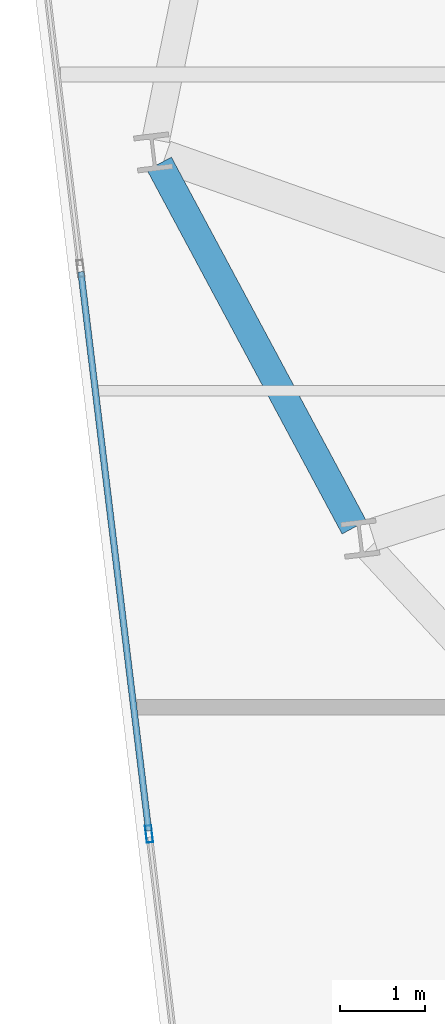
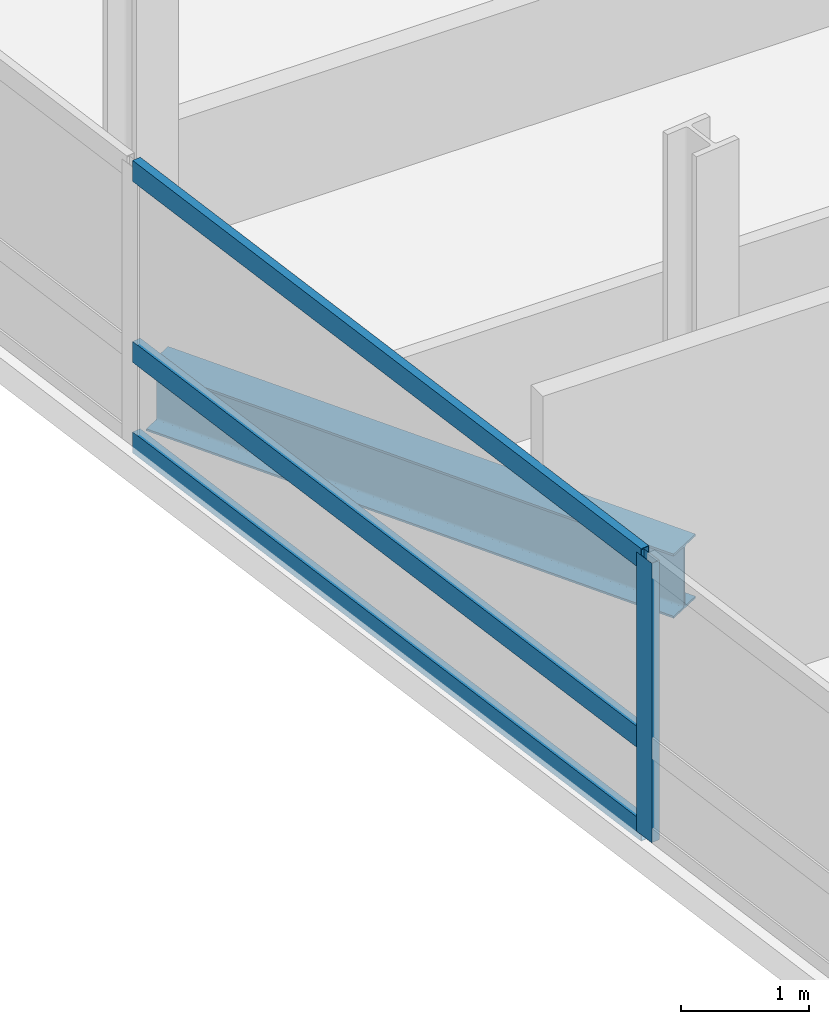
# One storey, part 4 of 22: 4 members, 1 beam, 1 element without a shape of its own.
"""IFC4 building model written with IfcOpenShell, lengths in metres."""

from ifc_helpers import new_model, si_unit, direction, frame, origin, origin_2d, place, context, subcontext, project, spatial, hollow_rectangle, i_section, extrude, material, layer, layer_set, material_profile, profile_set, type_object, element, aggregate, save


model = new_model("IFC4")

# Units and contexts
model_context = context("Model", 3, precision=1e-05, world=origin(), true_north=direction((0.0, 1.0)))
body_context = subcontext(model_context, "Body", "Model", "MODEL_VIEW")
ifc_project = project(units=[si_unit("LENGTHUNIT", "METRE"), si_unit("AREAUNIT", "SQUARE_METRE"), si_unit("VOLUMEUNIT", "CUBIC_METRE"), si_unit("PLANEANGLEUNIT", "RADIAN"), si_unit("MASSUNIT", "GRAM", prefix="KILO")], contexts=[model_context])

# Site, building, storey
site_placement = place(None, origin())
site = spatial("IfcSite", under=ifc_project, at=site_placement, CompositionType="ELEMENT")
building_placement = place(site_placement, origin())
building = spatial("IfcBuilding", under=site, at=building_placement, Name="Varnelok Gate Tower", CompositionType="ELEMENT")
storey_placement = place(building_placement, frame((0.0, 0.0, 204.199951171875)))
storey = spatial("IfcBuildingStorey", under=building, at=storey_placement, Name="L52", CompositionType="ELEMENT", Elevation=204.199951171875)

# Beam
ifc_material_1 = material(Name="Structural Steel ASTM A992 Grade 50", Category="steel")
ifc_material_profile_1 = material_profile(ifc_material_1, i_section(OverallWidth=0.323974609375, OverallDepth=0.611083984375, WebThickness=0.0126953125, FlangeThickness=0.01904296875, FilletRadius=0.01806640625, at=origin_2d()), Name="W24X104")
ifc_profile_set_1 = profile_set([ifc_material_profile_1], Name="Structural Steel ASTM A992 Grade 50")
beam_type = type_object("IfcBeamType", Name="BM-SPN-W24X104", PredefinedType="SPANDREL", material=ifc_profile_set_1)
beam_placement = place(storey_placement, frame((4.816650390625, 25.61474609375, -0.555419921875), z_axis=(0.472471917257, -0.881345725242, 0.0), x_axis=(0.881345725242, 0.472471917257, 0.0)))
element("IfcBeam", 1, at=beam_placement, inside=storey, type_object=beam_type, Name="L52 Perimeter Spandrel Beam 15", PredefinedType="SPANDREL", context=body_context, shape_type="SweptSolid", body=[
    extrude(i_section(OverallWidth=0.323974609375, OverallDepth=0.611083984375, WebThickness=0.0126953125, FlangeThickness=0.01904296875, FilletRadius=0.01806640625, at=origin_2d()), origin(), (0.0, 0.0, 1.0), 4.8408203125),
])

# Curtain wall, members
ifc_material_2 = material(Name="Anodized Aluminum Alloy 6063-T6", Category="aluminium")
ifc_layer = layer(ifc_material_2, 0.179931640625)
ifc_layer_set = layer_set([ifc_layer], Name="Anodized Aluminum Alloy 6063-T6")
curtain_wall_type = type_object("IfcCurtainWallType", Name="CW4-RESIDENCE-VISION", PredefinedType="USERDEFINED", material=ifc_layer_set)
curtain_wall_placement = place(storey_placement, origin())
curtain_wall = element("IfcCurtainWall", 2, at=curtain_wall_placement, inside=storey, type_object=curtain_wall_type, Name="L52 West End Vision Curtain Wall", ObjectType="UNITISED CURTAIN WALL", PredefinedType="USERDEFINED")
ifc_material_profile_2 = material_profile(ifc_material_2, hollow_rectangle(XDim=0.074951171875, YDim=0.199951171875, WallThickness=0.00390625, at=origin_2d()), Name="ALU200X75X4")
ifc_profile_set_2 = profile_set([ifc_material_profile_2], Name="Anodized Aluminum Alloy 6063-T6")
member_type_1 = type_object("IfcMemberType", Name="CW-MULL-200", PredefinedType="MULLION", material=ifc_profile_set_2)
member_1_placement = place(storey_placement, frame((4.697509765625, 17.7529296875, 0.0), z_axis=(0.0, 0.0, 1.0), x_axis=(-0.992732188751, -0.120344511371, 0.0)))
member_1 = element("IfcMember", 3, at=member_1_placement, type_object=member_type_1, Name="CW4 mullion 3", PredefinedType="MULLION", context=body_context, shape_type="SweptSolid", body=[
    extrude(hollow_rectangle(XDim=0.074951171875, YDim=0.199951171875, WallThickness=0.00390625, at=origin_2d()), origin(), (0.0, 0.0, 1.0), 2.66015625),
])
ifc_material_profile_3 = material_profile(ifc_material_2, hollow_rectangle(XDim=0.074951171875, YDim=0.199951171875, WallThickness=0.00390625, at=origin_2d()), Name="ALU200X75X4")
ifc_profile_set_3 = profile_set([ifc_material_profile_3], Name="Anodized Aluminum Alloy 6063-T6")
member_type_2 = type_object("IfcMemberType", Name="CW-TRAN-200", PredefinedType="USERDEFINED", material=ifc_profile_set_3)
member_2_placement = place(storey_placement, frame((4.69287109375, 17.790283203125, 0.03759765625), z_axis=(-0.120317016873, 0.992735521401, 0.0), x_axis=(-0.992735521401, -0.120317016873, 0.0)))
member_2 = element("IfcMember", 4, at=member_2_placement, type_object=member_type_2, Name="CW4 transom 3.1", ObjectType="TRANSOM", PredefinedType="USERDEFINED", context=body_context, shape_type="SweptSolid", body=[
    extrude(hollow_rectangle(XDim=0.074951171875, YDim=0.199951171875, WallThickness=0.00390625, at=origin_2d()), origin(), (0.0, 0.0, 1.0), 6.60498046875),
])
member_3_placement = place(storey_placement, frame((4.69287109375, 17.790283203125, 0.900146484375), z_axis=(-0.120317016873, 0.992735521401, 0.0), x_axis=(-0.992735521401, -0.120317016873, 0.0)))
member_3 = element("IfcMember", 5, at=member_3_placement, type_object=member_type_2, Name="CW4 transom 3.2", ObjectType="TRANSOM", PredefinedType="USERDEFINED", context=body_context, shape_type="SweptSolid", body=[
    extrude(hollow_rectangle(XDim=0.074951171875, YDim=0.199951171875, WallThickness=0.00390625, at=origin_2d()), origin(), (0.0, 0.0, 1.0), 6.60498046875),
])
member_4_placement = place(storey_placement, frame((4.69287109375, 17.790283203125, 2.62255859375), z_axis=(-0.120317016873, 0.992735521401, 0.0), x_axis=(-0.992735521401, -0.120317016873, 0.0)))
member_4 = element("IfcMember", 6, at=member_4_placement, type_object=member_type_2, Name="CW4 transom 3.3", ObjectType="TRANSOM", PredefinedType="USERDEFINED", context=body_context, shape_type="SweptSolid", body=[
    extrude(hollow_rectangle(XDim=0.074951171875, YDim=0.199951171875, WallThickness=0.00390625, at=origin_2d()), origin(), (0.0, 0.0, 1.0), 6.60498046875),
])
aggregate(curtain_wall, [member_1, member_2, member_3, member_4])

save(model, "model.ifc")
